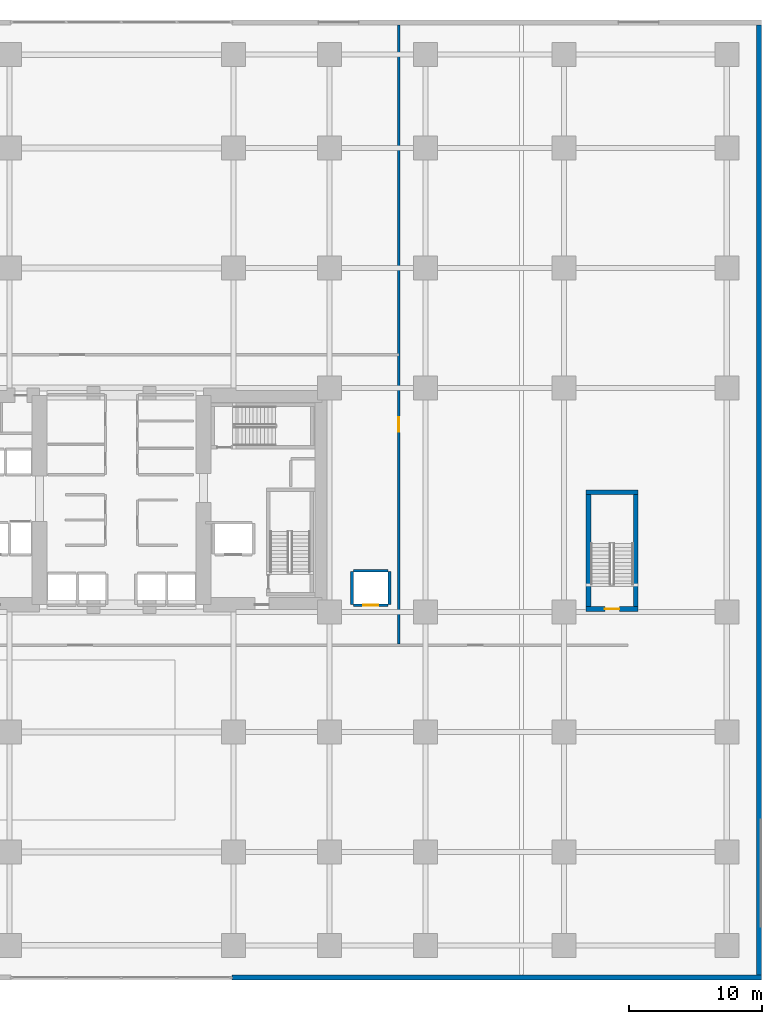
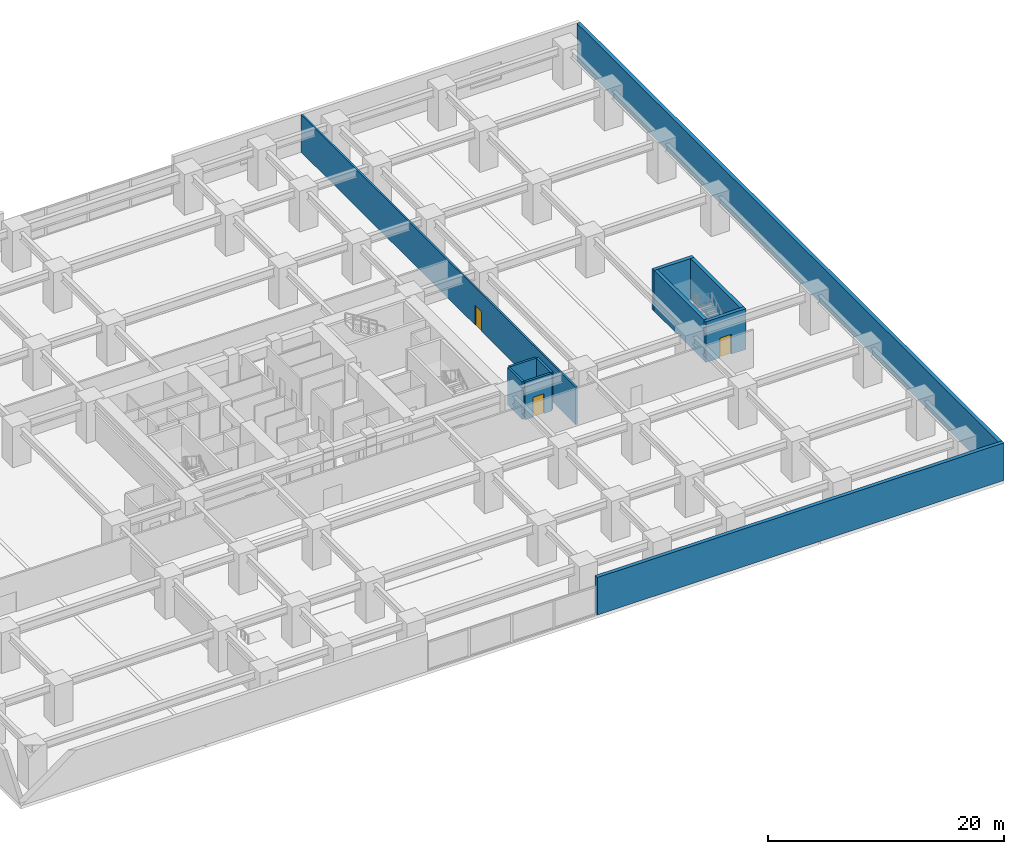
# One storey, part 13 of 22: 11 walls, 3 doors, 3 openings.
"""IFC4 building model written with IfcOpenShell, lengths in metres."""

from ifc_helpers import new_model, si_unit, direction, frame, frame_2d, origin, place, context, subcontext, project, spatial, rectangle, extrude, material, layer, layer_set, type_object, element, fill, save


model = new_model("IFC4")

# Units and contexts
model_context = context("Model", 3, precision=1e-05, world=origin(), true_north=direction((0.0, 1.0)))
body_context = subcontext(model_context, "Body", "Model", "MODEL_VIEW")
ifc_project = project(units=[si_unit("LENGTHUNIT", "METRE"), si_unit("AREAUNIT", "SQUARE_METRE"), si_unit("VOLUMEUNIT", "CUBIC_METRE"), si_unit("PLANEANGLEUNIT", "RADIAN"), si_unit("MASSUNIT", "GRAM", prefix="KILO")], contexts=[model_context])

# Site, building, storey
site_placement = place(None, origin())
site = spatial("IfcSite", under=ifc_project, at=site_placement, CompositionType="ELEMENT")
building_placement = place(site_placement, origin())
building = spatial("IfcBuilding", under=site, at=building_placement, Name="Kiyonajd Concourse Tower", CompositionType="ELEMENT")
storey_placement = place(building_placement, frame((0.0, 0.0, 4.5)))
storey = spatial("IfcBuildingStorey", under=building, at=storey_placement, Name="L02", CompositionType="ELEMENT", Elevation=4.5)

# Walls
ifc_material_1 = material(Name="Precast concrete C50/60", Category="concrete")
ifc_layer_1 = layer(ifc_material_1, 0.360107421875)
ifc_layer_set_1 = layer_set([ifc_layer_1], Name="Precast concrete C50/60")
wall_type_1 = type_object("IfcWallType", Name="WL-EXT-360", PredefinedType="SOLIDWALL", material=ifc_layer_set_1)
wall_1_placement = place(storey_placement, frame((95.820068359375, 71.639892578125, 0.0), z_axis=(0.0, 0.0, 1.0), x_axis=(0.0, -1.0, 0.0)))
element("IfcWall", 1, at=wall_1_placement, inside=storey, type_object=wall_type_1, Name="L02 East Podium Limestone Facade Wall", PredefinedType="SOLIDWALL", context=body_context, shape_type="SweptSolid", body=[
    extrude(rectangle(XDim=71.27978515625, YDim=0.360107421875, at=frame_2d((35.639892578125, 0.0))), origin(), (0.0, 0.0, 1.0), 3.8798828125),
])
wall_2_placement = place(storey_placement, frame((96.0, 0.179931640625, 0.0), z_axis=(0.0, 0.0, 1.0), x_axis=(-1.0, 0.0, 0.0)))
element("IfcWall", 2, at=wall_2_placement, inside=storey, type_object=wall_type_1, Name="L02 South East Podium Facade Wall", PredefinedType="SOLIDWALL", context=body_context, shape_type="SweptSolid", body=[
    extrude(rectangle(XDim=39.719970703125, YDim=0.360107421875, at=frame_2d((19.85986328125, 0.0))), origin(), (0.0, 0.0, 1.0), 3.8798828125),
])

# Wall, opening, door
ifc_material_2 = material(Name="Gypsum Board on Cold-Formed Steel Stud", Category="steel")
ifc_layer_2 = layer(ifc_material_2, 0.2099609375)
ifc_layer_set_2 = layer_set([ifc_layer_2], Name="Gypsum Board on Cold-Formed Steel Stud")
wall_type_2 = type_object("IfcWallType", Name="WL-SHAFT-210", PredefinedType="PARTITIONING", material=ifc_layer_set_2)
wall_3_placement = place(storey_placement, frame((65.39990234375, 28.10009765625, 0.0), z_axis=(0.0, 0.0, 1.0), x_axis=(1.0, 0.0, 0.0)))
wall_3 = element("IfcWall", 3, at=wall_3_placement, inside=storey, type_object=wall_type_2, Name="L02 Shaft Enclosure Wall", PredefinedType="PARTITIONING", context=body_context, shape_type="SweptSolid", body=[
    extrude(rectangle(XDim=2.60009765625, YDim=0.2099609375, at=frame_2d((1.300048828125, 0.0))), origin(), (0.0, 0.0, 1.0), 3.8798828125),
])
opening_1_placement = place(wall_3_placement, frame((0.75, 0.0, 0.0)))
opening_1 = element("IfcOpeningElement", 4, at=opening_1_placement, cuts=wall_3, Name="Opening LD1", PredefinedType="OPENING", context=body_context, shape_type="SweptSolid", body=[
    extrude(rectangle(XDim=1.10009765625, YDim=2.0400390625, at=frame_2d((0.550048828125, 1.02001953125))), frame((0.0, 0.114990234375, 0.0), z_axis=(0.0, -1.0, 0.0), x_axis=(1.0, 0.0, 0.0)), (0.0, 0.0, 1.0), 0.22998046875),
])
ifc_material_3 = material(Name="Brushed Stainless Steel Cab Assembly", Category="steel")
door_type_1 = type_object("IfcDoorType", Name="DR-LD-1100", OperationType="DOUBLE_DOOR_SLIDING", PredefinedType="DOOR", material=ifc_material_3)
door_1_placement = place(opening_1_placement, origin())
door_1 = element("IfcDoor", 5, at=door_1_placement, inside=storey, type_object=door_type_1, Name="L02 Lift PD2 Sliding Landing Door", OperationType="DOUBLE_DOOR_SLIDING", OverallHeight=2.0400390625, OverallWidth=1.10009765625, PredefinedType="DOOR", context=body_context, shape_type="SweptSolid", body=[
    extrude(rectangle(XDim=1.10009765625, YDim=2.0400390625, at=frame_2d((0.550048828125, 1.02001953125))), frame((0.0, 0.02490234375, 0.0), z_axis=(0.0, -1.0, 0.0), x_axis=(1.0, 0.0, 0.0)), (0.0, 0.0, 1.0), 0.050048828125),
])
fill(opening_1, door_1)

# Walls
wall_4_placement = place(storey_placement, frame((65.39990234375, 30.699951171875, 0.0), z_axis=(0.0, 0.0, 1.0), x_axis=(1.0, 0.0, 0.0)))
element("IfcWall", 6, at=wall_4_placement, inside=storey, type_object=wall_type_2, Name="L02 Shaft Enclosure Wall", PredefinedType="PARTITIONING", context=body_context, shape_type="SweptSolid", body=[
    extrude(rectangle(XDim=2.60009765625, YDim=0.2099609375, at=frame_2d((1.300048828125, 0.0))), origin(), (0.0, 0.0, 1.0), 3.8798828125),
])
for number, where, z_axis, x_axis, name in (
    (7, (65.300048828125, 28.159912109375, 0.0), (0.0, 0.0, 1.0), (0.0, 1.0, 0.0), "L02 Shaft Enclosure Wall"),
    (8, (68.10009765625, 28.159912109375, 0.0), (0.0, 0.0, 1.0), (0.0, 1.0, 0.0), "L02 Shaft Enclosure Wall"),
):
    element("IfcWall", number, at=place(storey_placement, frame(where, z_axis=z_axis, x_axis=x_axis)), inside=storey, type_object=wall_type_2, Name=name, PredefinedType="PARTITIONING", context=body_context, shape_type="SweptSolid", body=[
        extrude(rectangle(XDim=2.47998046875, YDim=0.2099609375, at=frame_2d((1.239990234375, 0.0))), origin(), (0.0, 0.0, 1.0), 3.8798828125),
    ])

# Wall, opening, door
ifc_layer_3 = layer(ifc_material_2, 0.169921875)
ifc_layer_set_3 = layer_set([ifc_layer_3], Name="Gypsum Board on Cold-Formed Steel Stud")
wall_type_3 = type_object("IfcWallType", Name="WL-SMK-170", PredefinedType="PARTITIONING", material=ifc_layer_set_3)
wall_5_placement = place(storey_placement, frame((68.800048828125, 25.18701171875, 0.0), z_axis=(0.0, 0.0, 1.0), x_axis=(0.0, 1.0, 0.0)))
wall_5 = element("IfcWall", 9, at=wall_5_placement, inside=storey, type_object=wall_type_3, Name="L02 Interior Partition Wall", PredefinedType="PARTITIONING", context=body_context, shape_type="SweptSolid", body=[
    extrude(rectangle(XDim=46.447998046875, YDim=0.169921875, at=frame_2d((23.22412109375, 0.0))), origin(), (0.0, 0.0, 1.0), 3.8798828125),
])
opening_2_placement = place(wall_5_placement, frame((15.9130859375, 0.0, 0.0)))
opening_2 = element("IfcOpeningElement", 10, at=opening_2_placement, cuts=wall_5, Name="Opening DF2", PredefinedType="OPENING", context=body_context, shape_type="SweptSolid", body=[
    extrude(rectangle(XDim=1.10009765625, YDim=2.050048828125, at=frame_2d((0.550048828125, 1.02490234375))), frame((0.0, 0.094970703125, 0.0), z_axis=(0.0, -1.0, 0.0), x_axis=(1.0, 0.0, 0.0)), (0.0, 0.0, 1.0), 0.18994140625),
])
door_type_2 = type_object("IfcDoorType", Name="DR-FD90-1100", OperationType="NOTDEFINED", PredefinedType="DOOR", material=ifc_material_3)
door_2_placement = place(opening_2_placement, origin())
door_2 = element("IfcDoor", 11, at=door_2_placement, inside=storey, type_object=door_type_2, Name="L02 Interior Door", OperationType="SINGLE_SWING_RIGHT", OverallHeight=2.050048828125, OverallWidth=1.10009765625, PredefinedType="DOOR", context=body_context, shape_type="SweptSolid", body=[
    extrude(rectangle(XDim=1.10009765625, YDim=2.050048828125, at=frame_2d((0.550048828125, 1.02490234375))), frame((0.0, 0.02490234375, 0.0), z_axis=(0.0, -1.0, 0.0), x_axis=(1.0, 0.0, 0.0)), (0.0, 0.0, 1.0), 0.050048828125),
])
fill(opening_2, door_2)

ifc_material_4 = material(Name="Concrete C50/60", Category="concrete")
ifc_layer_4 = layer(ifc_material_4, 0.35009765625)
ifc_layer_set_4 = layer_set([ifc_layer_4], Name="Concrete C50/60")
wall_type_4 = type_object("IfcWallType", Name="WL-STAIR-350", PredefinedType="SHEAR", material=ifc_layer_set_4)
wall_6_placement = place(storey_placement, frame((82.85009765625, 27.824951171875, 0.0), z_axis=(0.0, 0.0, 1.0), x_axis=(1.0, 0.0, 0.0)))
wall_6 = element("IfcWall", 12, at=wall_6_placement, inside=storey, type_object=wall_type_4, Name="L02 Stair ST5 Structural South Wall", PredefinedType="SHEAR", context=body_context, shape_type="SweptSolid", body=[
    extrude(rectangle(XDim=3.89990234375, YDim=0.35009765625, at=frame_2d((1.949951171875, 0.0))), origin(), (0.0, 0.0, 1.0), 4.199951171875),
])
opening_3_placement = place(wall_6_placement, frame((1.39990234375, 0.0, 0.0)))
opening_3 = element("IfcOpeningElement", 13, at=opening_3_placement, cuts=wall_6, Name="Opening DF2", PredefinedType="OPENING", context=body_context, shape_type="SweptSolid", body=[
    extrude(rectangle(XDim=1.10009765625, YDim=2.050048828125, at=frame_2d((0.550048828125, 1.02490234375))), frame((0.0, 0.18505859375, 0.0), z_axis=(0.0, -1.0, 0.0), x_axis=(1.0, 0.0, 0.0)), (0.0, 0.0, 1.0), 0.3701171875),
])
door_3_placement = place(opening_3_placement, origin())
door_3 = element("IfcDoor", 14, at=door_3_placement, inside=storey, type_object=door_type_2, Name="L02 Stair ST5 Fire Door", OperationType="SINGLE_SWING_RIGHT", OverallHeight=2.050048828125, OverallWidth=1.10009765625, PredefinedType="DOOR", context=body_context, shape_type="SweptSolid", body=[
    extrude(rectangle(XDim=1.10009765625, YDim=2.050048828125, at=frame_2d((0.550048828125, 1.02490234375))), frame((0.0, 0.02490234375, 0.0), z_axis=(0.0, -1.0, 0.0), x_axis=(1.0, 0.0, 0.0)), (0.0, 0.0, 1.0), 0.050048828125),
])
fill(opening_3, door_3)

# Walls
wall_7_placement = place(storey_placement, frame((82.85009765625, 36.574951171875, 0.0), z_axis=(0.0, 0.0, 1.0), x_axis=(1.0, 0.0, 0.0)))
element("IfcWall", 15, at=wall_7_placement, inside=storey, type_object=wall_type_4, Name="L02 Stair ST5 Structural North Wall", PredefinedType="SHEAR", context=body_context, shape_type="SweptSolid", body=[
    extrude(rectangle(XDim=3.89990234375, YDim=0.35009765625, at=frame_2d((1.949951171875, 0.0))), origin(), (0.0, 0.0, 1.0), 4.199951171875),
])
for number, where, z_axis, x_axis, name in (
    (16, (83.02490234375, 28.0, 0.0), (0.0, 0.0, 1.0), (0.0, 1.0, 0.0), "L02 Stair ST5 Structural West Wall"),
    (17, (86.574951171875, 28.0, 0.0), (0.0, 0.0, 1.0), (0.0, 1.0, 0.0), "L02 Stair ST5 Structural East Wall"),
):
    element("IfcWall", number, at=place(storey_placement, frame(where, z_axis=z_axis, x_axis=x_axis)), inside=storey, type_object=wall_type_4, Name=name, PredefinedType="SHEAR", context=body_context, shape_type="SweptSolid", body=[
        extrude(rectangle(XDim=8.39990234375, YDim=0.35009765625, at=frame_2d((4.199951171875, 0.0))), origin(), (0.0, 0.0, 1.0), 4.199951171875),
    ])

save(model, "model.ifc")
